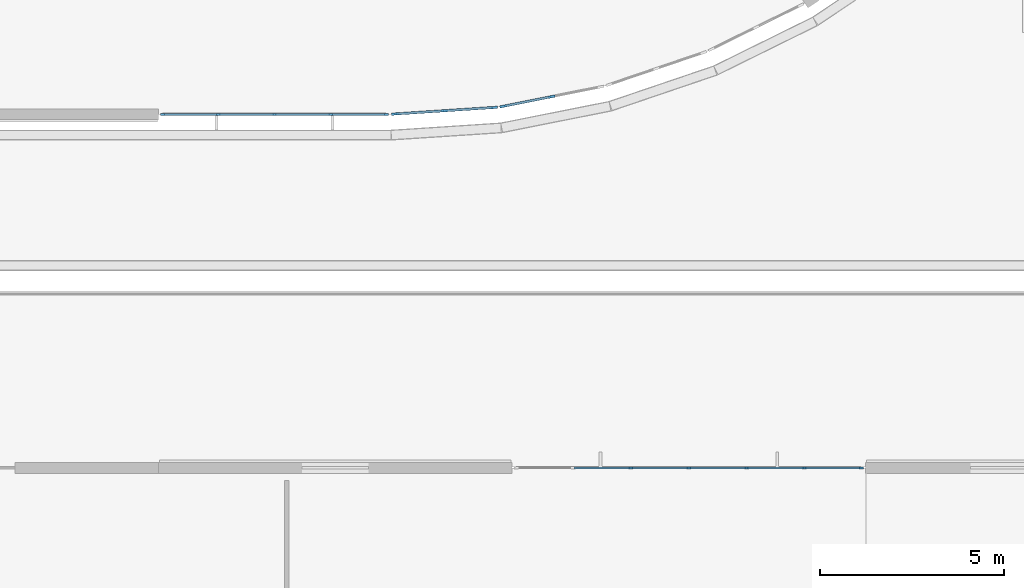
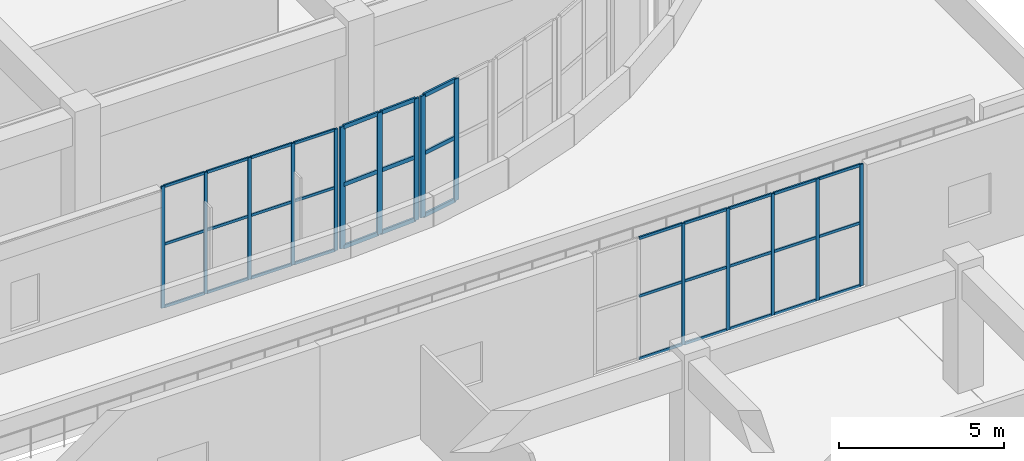
# One storey, part 15 of 96: 51 members, 4 elements without a shape of their own.
"""IFC4 building model written with IfcOpenShell, lengths in metres."""

from ifc_helpers import new_model, si_unit, direction, frame, origin, origin_2d, place, context, subcontext, project, spatial, rectangle, extrude, material, layer, layer_set, material_profile, profile_set, type_object, element, aggregate, save


model = new_model("IFC4")

# Units and contexts
model_context = context("Model", 3, precision=1e-05, world=origin(), true_north=direction((0.0, 1.0)))
body_context = subcontext(model_context, "Body", "Model", "MODEL_VIEW")
ifc_project = project(units=[si_unit("LENGTHUNIT", "METRE"), si_unit("AREAUNIT", "SQUARE_METRE"), si_unit("VOLUMEUNIT", "CUBIC_METRE"), si_unit("PLANEANGLEUNIT", "RADIAN"), si_unit("MASSUNIT", "GRAM", prefix="KILO")], contexts=[model_context])

# Site, building, storey
site_placement = place(None, origin())
site = spatial("IfcSite", under=ifc_project, at=site_placement, CompositionType="ELEMENT")
building_placement = place(site_placement, origin())
building = spatial("IfcBuilding", under=site, at=building_placement, Name="Cendralis Terraced Arcade", CompositionType="ELEMENT")
storey_placement = place(building_placement, frame((0.0, 0.0, 10.199951171875)))
storey = spatial("IfcBuildingStorey", under=building, at=storey_placement, Name="L02", CompositionType="ELEMENT", Elevation=10.199951171875)

# Curtain wall, members
ifc_material = material(Name="Anodised aluminium EN AW-6063 T6", Category="aluminium")
ifc_layer_1 = layer(ifc_material, 0.1201171875, Name="CW-STORE-B")
ifc_layer_set_1 = layer_set([ifc_layer_1], Name="Anodised aluminium EN AW-6063 T6")
curtain_wall_type_1 = type_object("IfcCurtainWallType", Name="CW-STORE-B", PredefinedType="USERDEFINED", material=ifc_layer_set_1)
curtain_wall_1_placement = place(storey_placement, origin())
curtain_wall_1 = element("IfcCurtainWall", 1, at=curtain_wall_1_placement, inside=storey, type_object=curtain_wall_type_1, Name="Exterior Storefront Glazing CW-L02-0127", ObjectType="STOREFRONT GLAZING", PredefinedType="USERDEFINED")
ifc_material_profile_1 = material_profile(ifc_material, rectangle(XDim=0.054931640625, YDim=0.1201171875, at=origin_2d()), Name="ALU-MUL-55x120")
ifc_profile_set_1 = profile_set([ifc_material_profile_1], Name="Anodised aluminium EN AW-6063 T6")
member_type_1 = type_object("IfcMemberType", Name="CW-STORE-B-MUL", PredefinedType="MULLION", material=ifc_profile_set_1)
member_1_placement = place(storey_placement, frame((44.58251953125, 64.800048828125, 0.0), z_axis=(0.0, 0.0, 1.0), x_axis=(0.0, -1.0, 0.0)))
member_1 = element("IfcMember", 2, at=member_1_placement, type_object=member_type_1, Name="CW-S2 mullion 1", PredefinedType="MULLION", context=body_context, shape_type="SweptSolid", body=[
    extrude(rectangle(XDim=0.054931640625, YDim=0.1201171875, at=origin_2d()), origin(), (0.0, 0.0, 1.0), 4.51513671875),
])
member_2_placement = place(storey_placement, frame((43.080078125, 64.800048828125, 0.0), z_axis=(0.0, 0.0, 1.0), x_axis=(0.0, -1.0, 0.0)))
member_2 = element("IfcMember", 3, at=member_2_placement, type_object=member_type_1, Name="CW-S2 mullion 2", PredefinedType="MULLION", context=body_context, shape_type="SweptSolid", body=[
    extrude(rectangle(XDim=0.054931640625, YDim=0.1201171875, at=origin_2d()), origin(), (0.0, 0.0, 1.0), 4.51513671875),
])
member_3_placement = place(storey_placement, frame((41.550048828125, 64.800048828125, 0.0), z_axis=(0.0, 0.0, 1.0), x_axis=(0.0, -1.0, 0.0)))
member_3 = element("IfcMember", 4, at=member_3_placement, type_object=member_type_1, Name="CW-S2 mullion 3", PredefinedType="MULLION", context=body_context, shape_type="SweptSolid", body=[
    extrude(rectangle(XDim=0.054931640625, YDim=0.1201171875, at=origin_2d()), origin(), (0.0, 0.0, 1.0), 4.51513671875),
])
member_4_placement = place(storey_placement, frame((40.02001953125, 64.800048828125, 0.0), z_axis=(0.0, 0.0, 1.0), x_axis=(0.0, -1.0, 0.0)))
member_4 = element("IfcMember", 5, at=member_4_placement, type_object=member_type_1, Name="CW-S2 mullion 4", PredefinedType="MULLION", context=body_context, shape_type="SweptSolid", body=[
    extrude(rectangle(XDim=0.054931640625, YDim=0.1201171875, at=origin_2d()), origin(), (0.0, 0.0, 1.0), 4.51513671875),
])
member_5_placement = place(storey_placement, frame((38.517578125, 64.800048828125, 0.0), z_axis=(0.0, 0.0, 1.0), x_axis=(0.0, -1.0, 0.0)))
member_5 = element("IfcMember", 6, at=member_5_placement, type_object=member_type_1, Name="CW-S2 mullion 5", PredefinedType="MULLION", context=body_context, shape_type="SweptSolid", body=[
    extrude(rectangle(XDim=0.054931640625, YDim=0.1201171875, at=origin_2d()), origin(), (0.0, 0.0, 1.0), 4.51513671875),
])

curtain_wall_2_placement = place(storey_placement, origin())
curtain_wall_2 = element("IfcCurtainWall", 7, at=curtain_wall_2_placement, inside=storey, type_object=curtain_wall_type_1, Name="Exterior Storefront Glazing CW-L02-0224", ObjectType="STOREFRONT GLAZING", PredefinedType="USERDEFINED")
member_6_placement = place(storey_placement, frame((51.22998046875, 55.199951171875, 0.0), z_axis=(0.0, 0.0, 1.0), x_axis=(0.0, 1.0, 0.0)))
member_6 = element("IfcMember", 8, at=member_6_placement, type_object=member_type_1, Name="CW-S2 mullion 3", PredefinedType="MULLION", context=body_context, shape_type="SweptSolid", body=[
    extrude(rectangle(XDim=0.054931640625, YDim=0.1201171875, at=origin_2d()), origin(), (0.0, 0.0, 1.0), 4.51513671875),
])
member_7_placement = place(storey_placement, frame((52.800048828125, 55.199951171875, 0.0), z_axis=(0.0, 0.0, 1.0), x_axis=(0.0, 1.0, 0.0)))
member_7 = element("IfcMember", 9, at=member_7_placement, type_object=member_type_1, Name="CW-S2 mullion 4", PredefinedType="MULLION", context=body_context, shape_type="SweptSolid", body=[
    extrude(rectangle(XDim=0.054931640625, YDim=0.1201171875, at=origin_2d()), origin(), (0.0, 0.0, 1.0), 4.51513671875),
])
member_8_placement = place(storey_placement, frame((54.3701171875, 55.199951171875, 0.0), z_axis=(0.0, 0.0, 1.0), x_axis=(0.0, 1.0, 0.0)))
member_8 = element("IfcMember", 10, at=member_8_placement, type_object=member_type_1, Name="CW-S2 mullion 5", PredefinedType="MULLION", context=body_context, shape_type="SweptSolid", body=[
    extrude(rectangle(XDim=0.054931640625, YDim=0.1201171875, at=origin_2d()), origin(), (0.0, 0.0, 1.0), 4.51513671875),
])
member_9_placement = place(storey_placement, frame((55.93994140625, 55.199951171875, 0.0), z_axis=(0.0, 0.0, 1.0), x_axis=(0.0, 1.0, 0.0)))
member_9 = element("IfcMember", 11, at=member_9_placement, type_object=member_type_1, Name="CW-S2 mullion 6", PredefinedType="MULLION", context=body_context, shape_type="SweptSolid", body=[
    extrude(rectangle(XDim=0.054931640625, YDim=0.1201171875, at=origin_2d()), origin(), (0.0, 0.0, 1.0), 4.51513671875),
])
member_10_placement = place(storey_placement, frame((57.482421875, 55.199951171875, 0.0), z_axis=(0.0, 0.0, 1.0), x_axis=(0.0, 1.0, 0.0)))
member_10 = element("IfcMember", 12, at=member_10_placement, type_object=member_type_1, Name="CW-S2 mullion 7", PredefinedType="MULLION", context=body_context, shape_type="SweptSolid", body=[
    extrude(rectangle(XDim=0.054931640625, YDim=0.1201171875, at=origin_2d()), origin(), (0.0, 0.0, 1.0), 4.51513671875),
])

# Member
ifc_material_profile_2 = material_profile(ifc_material, rectangle(XDim=0.054931640625, YDim=0.10009765625, at=origin_2d()), Name="ALU-TRN-55x100")
ifc_profile_set_2 = profile_set([ifc_material_profile_2], Name="Anodised aluminium EN AW-6063 T6")
member_type_2 = type_object("IfcMemberType", Name="CW-STORE-B-TRN", PredefinedType="USERDEFINED", material=ifc_profile_set_2)
member_11_placement = place(storey_placement, frame((44.554931640625, 64.800048828125, 0.027587890625), z_axis=(-1.0, 0.0, 0.0), x_axis=(0.0, -1.0, 0.0)))
member_11 = element("IfcMember", 13, at=member_11_placement, type_object=member_type_2, Name="CW-S2 transom 1.1", ObjectType="TRANSOM", PredefinedType="USERDEFINED", context=body_context, shape_type="SweptSolid", body=[
    extrude(rectangle(XDim=0.054931640625, YDim=0.10009765625, at=origin_2d()), origin(), (0.0, 0.0, 1.0), 1.447509765625),
])

member_12_placement = place(storey_placement, frame((44.554931640625, 64.800048828125, 2.347900390625), z_axis=(-1.0, 0.0, 0.0), x_axis=(0.0, -1.0, 0.0)))
member_12 = element("IfcMember", 14, at=member_12_placement, type_object=member_type_2, Name="CW-S2 transom 1.2", ObjectType="TRANSOM", PredefinedType="USERDEFINED", context=body_context, shape_type="SweptSolid", body=[
    extrude(rectangle(XDim=0.054931640625, YDim=0.10009765625, at=origin_2d()), origin(), (0.0, 0.0, 1.0), 1.447509765625),
])

member_13_placement = place(storey_placement, frame((44.554931640625, 64.800048828125, 4.487548828125), z_axis=(-1.0, 0.0, 0.0), x_axis=(0.0, -1.0, 0.0)))
member_13 = element("IfcMember", 15, at=member_13_placement, type_object=member_type_2, Name="CW-S2 transom 1.3", ObjectType="TRANSOM", PredefinedType="USERDEFINED", context=body_context, shape_type="SweptSolid", body=[
    extrude(rectangle(XDim=0.054931640625, YDim=0.10009765625, at=origin_2d()), origin(), (0.0, 0.0, 1.0), 1.447509765625),
])

member_14_placement = place(storey_placement, frame((43.052490234375, 64.800048828125, 0.027587890625), z_axis=(-1.0, 0.0, 0.0), x_axis=(0.0, -1.0, 0.0)))
member_14 = element("IfcMember", 16, at=member_14_placement, type_object=member_type_2, Name="CW-S2 transom 2.1", ObjectType="TRANSOM", PredefinedType="USERDEFINED", context=body_context, shape_type="SweptSolid", body=[
    extrude(rectangle(XDim=0.054931640625, YDim=0.10009765625, at=origin_2d()), origin(), (0.0, 0.0, 1.0), 1.47509765625),
])

member_15_placement = place(storey_placement, frame((43.052490234375, 64.800048828125, 2.347900390625), z_axis=(-1.0, 0.0, 0.0), x_axis=(0.0, -1.0, 0.0)))
member_15 = element("IfcMember", 17, at=member_15_placement, type_object=member_type_2, Name="CW-S2 transom 2.2", ObjectType="TRANSOM", PredefinedType="USERDEFINED", context=body_context, shape_type="SweptSolid", body=[
    extrude(rectangle(XDim=0.054931640625, YDim=0.10009765625, at=origin_2d()), origin(), (0.0, 0.0, 1.0), 1.47509765625),
])

member_16_placement = place(storey_placement, frame((43.052490234375, 64.800048828125, 4.487548828125), z_axis=(-1.0, 0.0, 0.0), x_axis=(0.0, -1.0, 0.0)))
member_16 = element("IfcMember", 18, at=member_16_placement, type_object=member_type_2, Name="CW-S2 transom 2.3", ObjectType="TRANSOM", PredefinedType="USERDEFINED", context=body_context, shape_type="SweptSolid", body=[
    extrude(rectangle(XDim=0.054931640625, YDim=0.10009765625, at=origin_2d()), origin(), (0.0, 0.0, 1.0), 1.47509765625),
])

member_17_placement = place(storey_placement, frame((41.5224609375, 64.800048828125, 0.027587890625), z_axis=(-1.0, 0.0, 0.0), x_axis=(0.0, -1.0, 0.0)))
member_17 = element("IfcMember", 19, at=member_17_placement, type_object=member_type_2, Name="CW-S2 transom 3.1", ObjectType="TRANSOM", PredefinedType="USERDEFINED", context=body_context, shape_type="SweptSolid", body=[
    extrude(rectangle(XDim=0.054931640625, YDim=0.10009765625, at=origin_2d()), origin(), (0.0, 0.0, 1.0), 1.474853515625),
])

member_18_placement = place(storey_placement, frame((41.5224609375, 64.800048828125, 2.347900390625), z_axis=(-1.0, 0.0, 0.0), x_axis=(0.0, -1.0, 0.0)))
member_18 = element("IfcMember", 20, at=member_18_placement, type_object=member_type_2, Name="CW-S2 transom 3.2", ObjectType="TRANSOM", PredefinedType="USERDEFINED", context=body_context, shape_type="SweptSolid", body=[
    extrude(rectangle(XDim=0.054931640625, YDim=0.10009765625, at=origin_2d()), origin(), (0.0, 0.0, 1.0), 1.474853515625),
])

member_19_placement = place(storey_placement, frame((41.5224609375, 64.800048828125, 4.487548828125), z_axis=(-1.0, 0.0, 0.0), x_axis=(0.0, -1.0, 0.0)))
member_19 = element("IfcMember", 21, at=member_19_placement, type_object=member_type_2, Name="CW-S2 transom 3.3", ObjectType="TRANSOM", PredefinedType="USERDEFINED", context=body_context, shape_type="SweptSolid", body=[
    extrude(rectangle(XDim=0.054931640625, YDim=0.10009765625, at=origin_2d()), origin(), (0.0, 0.0, 1.0), 1.474853515625),
])

member_20_placement = place(storey_placement, frame((39.992431640625, 64.800048828125, 0.027587890625), z_axis=(-1.0, 0.0, 0.0), x_axis=(0.0, -1.0, 0.0)))
member_20 = element("IfcMember", 22, at=member_20_placement, type_object=member_type_2, Name="CW-S2 transom 4.1", ObjectType="TRANSOM", PredefinedType="USERDEFINED", context=body_context, shape_type="SweptSolid", body=[
    extrude(rectangle(XDim=0.054931640625, YDim=0.10009765625, at=origin_2d()), origin(), (0.0, 0.0, 1.0), 1.447509765625),
])

member_21_placement = place(storey_placement, frame((39.992431640625, 64.800048828125, 2.347900390625), z_axis=(-1.0, 0.0, 0.0), x_axis=(0.0, -1.0, 0.0)))
member_21 = element("IfcMember", 23, at=member_21_placement, type_object=member_type_2, Name="CW-S2 transom 4.2", ObjectType="TRANSOM", PredefinedType="USERDEFINED", context=body_context, shape_type="SweptSolid", body=[
    extrude(rectangle(XDim=0.054931640625, YDim=0.10009765625, at=origin_2d()), origin(), (0.0, 0.0, 1.0), 1.447509765625),
])

member_22_placement = place(storey_placement, frame((39.992431640625, 64.800048828125, 4.487548828125), z_axis=(-1.0, 0.0, 0.0), x_axis=(0.0, -1.0, 0.0)))
member_22 = element("IfcMember", 24, at=member_22_placement, type_object=member_type_2, Name="CW-S2 transom 4.3", ObjectType="TRANSOM", PredefinedType="USERDEFINED", context=body_context, shape_type="SweptSolid", body=[
    extrude(rectangle(XDim=0.054931640625, YDim=0.10009765625, at=origin_2d()), origin(), (0.0, 0.0, 1.0), 1.447509765625),
])

aggregate(curtain_wall_1, [member_1, member_2, member_3, member_4, member_5, member_11, member_12, member_13, member_14, member_15, member_16, member_17, member_18, member_19, member_20, member_21, member_22])

member_23_placement = place(storey_placement, frame((49.6875, 55.199951171875, 0.027587890625), z_axis=(1.0, 0.0, 0.0), x_axis=(0.0, 1.0, 0.0)))
member_23 = element("IfcMember", 25, at=member_23_placement, type_object=member_type_2, Name="CW-S2 transom 2.1", ObjectType="TRANSOM", PredefinedType="USERDEFINED", context=body_context, shape_type="SweptSolid", body=[
    extrude(rectangle(XDim=0.054931640625, YDim=0.10009765625, at=origin_2d()), origin(), (0.0, 0.0, 1.0), 1.514892578125),
])

member_24_placement = place(storey_placement, frame((49.6875, 55.199951171875, 2.347900390625), z_axis=(1.0, 0.0, 0.0), x_axis=(0.0, 1.0, 0.0)))
member_24 = element("IfcMember", 26, at=member_24_placement, type_object=member_type_2, Name="CW-S2 transom 2.2", ObjectType="TRANSOM", PredefinedType="USERDEFINED", context=body_context, shape_type="SweptSolid", body=[
    extrude(rectangle(XDim=0.054931640625, YDim=0.10009765625, at=origin_2d()), origin(), (0.0, 0.0, 1.0), 1.514892578125),
])

member_25_placement = place(storey_placement, frame((49.6875, 55.199951171875, 4.487548828125), z_axis=(1.0, 0.0, 0.0), x_axis=(0.0, 1.0, 0.0)))
member_25 = element("IfcMember", 27, at=member_25_placement, type_object=member_type_2, Name="CW-S2 transom 2.3", ObjectType="TRANSOM", PredefinedType="USERDEFINED", context=body_context, shape_type="SweptSolid", body=[
    extrude(rectangle(XDim=0.054931640625, YDim=0.10009765625, at=origin_2d()), origin(), (0.0, 0.0, 1.0), 1.514892578125),
])

member_26_placement = place(storey_placement, frame((51.257568359375, 55.199951171875, 0.027587890625), z_axis=(1.0, 0.0, 0.0), x_axis=(0.0, 1.0, 0.0)))
member_26 = element("IfcMember", 28, at=member_26_placement, type_object=member_type_2, Name="CW-S2 transom 3.1", ObjectType="TRANSOM", PredefinedType="USERDEFINED", context=body_context, shape_type="SweptSolid", body=[
    extrude(rectangle(XDim=0.054931640625, YDim=0.10009765625, at=origin_2d()), origin(), (0.0, 0.0, 1.0), 1.514892578125),
])

member_27_placement = place(storey_placement, frame((51.257568359375, 55.199951171875, 2.347900390625), z_axis=(1.0, 0.0, 0.0), x_axis=(0.0, 1.0, 0.0)))
member_27 = element("IfcMember", 29, at=member_27_placement, type_object=member_type_2, Name="CW-S2 transom 3.2", ObjectType="TRANSOM", PredefinedType="USERDEFINED", context=body_context, shape_type="SweptSolid", body=[
    extrude(rectangle(XDim=0.054931640625, YDim=0.10009765625, at=origin_2d()), origin(), (0.0, 0.0, 1.0), 1.514892578125),
])

member_28_placement = place(storey_placement, frame((51.257568359375, 55.199951171875, 4.487548828125), z_axis=(1.0, 0.0, 0.0), x_axis=(0.0, 1.0, 0.0)))
member_28 = element("IfcMember", 30, at=member_28_placement, type_object=member_type_2, Name="CW-S2 transom 3.3", ObjectType="TRANSOM", PredefinedType="USERDEFINED", context=body_context, shape_type="SweptSolid", body=[
    extrude(rectangle(XDim=0.054931640625, YDim=0.10009765625, at=origin_2d()), origin(), (0.0, 0.0, 1.0), 1.514892578125),
])

member_29_placement = place(storey_placement, frame((52.827392578125, 55.199951171875, 0.027587890625), z_axis=(1.0, 0.0, 0.0), x_axis=(0.0, 1.0, 0.0)))
member_29 = element("IfcMember", 31, at=member_29_placement, type_object=member_type_2, Name="CW-S2 transom 4.1", ObjectType="TRANSOM", PredefinedType="USERDEFINED", context=body_context, shape_type="SweptSolid", body=[
    extrude(rectangle(XDim=0.054931640625, YDim=0.10009765625, at=origin_2d()), origin(), (0.0, 0.0, 1.0), 1.51513671875),
])

member_30_placement = place(storey_placement, frame((52.827392578125, 55.199951171875, 2.347900390625), z_axis=(1.0, 0.0, 0.0), x_axis=(0.0, 1.0, 0.0)))
member_30 = element("IfcMember", 32, at=member_30_placement, type_object=member_type_2, Name="CW-S2 transom 4.2", ObjectType="TRANSOM", PredefinedType="USERDEFINED", context=body_context, shape_type="SweptSolid", body=[
    extrude(rectangle(XDim=0.054931640625, YDim=0.10009765625, at=origin_2d()), origin(), (0.0, 0.0, 1.0), 1.51513671875),
])

member_31_placement = place(storey_placement, frame((52.827392578125, 55.199951171875, 4.487548828125), z_axis=(1.0, 0.0, 0.0), x_axis=(0.0, 1.0, 0.0)))
member_31 = element("IfcMember", 33, at=member_31_placement, type_object=member_type_2, Name="CW-S2 transom 4.3", ObjectType="TRANSOM", PredefinedType="USERDEFINED", context=body_context, shape_type="SweptSolid", body=[
    extrude(rectangle(XDim=0.054931640625, YDim=0.10009765625, at=origin_2d()), origin(), (0.0, 0.0, 1.0), 1.51513671875),
])

member_32_placement = place(storey_placement, frame((54.3974609375, 55.199951171875, 0.027587890625), z_axis=(1.0, 0.0, 0.0), x_axis=(0.0, 1.0, 0.0)))
member_32 = element("IfcMember", 34, at=member_32_placement, type_object=member_type_2, Name="CW-S2 transom 5.1", ObjectType="TRANSOM", PredefinedType="USERDEFINED", context=body_context, shape_type="SweptSolid", body=[
    extrude(rectangle(XDim=0.054931640625, YDim=0.10009765625, at=origin_2d()), origin(), (0.0, 0.0, 1.0), 1.51513671875),
])

member_33_placement = place(storey_placement, frame((54.3974609375, 55.199951171875, 2.347900390625), z_axis=(1.0, 0.0, 0.0), x_axis=(0.0, 1.0, 0.0)))
member_33 = element("IfcMember", 35, at=member_33_placement, type_object=member_type_2, Name="CW-S2 transom 5.2", ObjectType="TRANSOM", PredefinedType="USERDEFINED", context=body_context, shape_type="SweptSolid", body=[
    extrude(rectangle(XDim=0.054931640625, YDim=0.10009765625, at=origin_2d()), origin(), (0.0, 0.0, 1.0), 1.51513671875),
])

member_34_placement = place(storey_placement, frame((54.3974609375, 55.199951171875, 4.487548828125), z_axis=(1.0, 0.0, 0.0), x_axis=(0.0, 1.0, 0.0)))
member_34 = element("IfcMember", 36, at=member_34_placement, type_object=member_type_2, Name="CW-S2 transom 5.3", ObjectType="TRANSOM", PredefinedType="USERDEFINED", context=body_context, shape_type="SweptSolid", body=[
    extrude(rectangle(XDim=0.054931640625, YDim=0.10009765625, at=origin_2d()), origin(), (0.0, 0.0, 1.0), 1.51513671875),
])

member_35_placement = place(storey_placement, frame((55.967529296875, 55.199951171875, 0.027587890625), z_axis=(1.0, 0.0, 0.0), x_axis=(0.0, 1.0, 0.0)))
member_35 = element("IfcMember", 37, at=member_35_placement, type_object=member_type_2, Name="CW-S2 transom 6.1", ObjectType="TRANSOM", PredefinedType="USERDEFINED", context=body_context, shape_type="SweptSolid", body=[
    extrude(rectangle(XDim=0.054931640625, YDim=0.10009765625, at=origin_2d()), origin(), (0.0, 0.0, 1.0), 1.487548828125),
])

member_36_placement = place(storey_placement, frame((55.967529296875, 55.199951171875, 2.347900390625), z_axis=(1.0, 0.0, 0.0), x_axis=(0.0, 1.0, 0.0)))
member_36 = element("IfcMember", 38, at=member_36_placement, type_object=member_type_2, Name="CW-S2 transom 6.2", ObjectType="TRANSOM", PredefinedType="USERDEFINED", context=body_context, shape_type="SweptSolid", body=[
    extrude(rectangle(XDim=0.054931640625, YDim=0.10009765625, at=origin_2d()), origin(), (0.0, 0.0, 1.0), 1.487548828125),
])

member_37_placement = place(storey_placement, frame((55.967529296875, 55.199951171875, 4.487548828125), z_axis=(1.0, 0.0, 0.0), x_axis=(0.0, 1.0, 0.0)))
member_37 = element("IfcMember", 39, at=member_37_placement, type_object=member_type_2, Name="CW-S2 transom 6.3", ObjectType="TRANSOM", PredefinedType="USERDEFINED", context=body_context, shape_type="SweptSolid", body=[
    extrude(rectangle(XDim=0.054931640625, YDim=0.10009765625, at=origin_2d()), origin(), (0.0, 0.0, 1.0), 1.487548828125),
])

aggregate(curtain_wall_2, [member_6, member_7, member_8, member_9, member_10, member_23, member_24, member_25, member_26, member_27, member_28, member_29, member_30, member_31, member_32, member_33, member_34, member_35, member_36, member_37])

# Curtain wall, members
ifc_layer_2 = layer(ifc_material, 0.179931640625, Name="CW-UNIT-A")
ifc_layer_set_2 = layer_set([ifc_layer_2], Name="Anodised aluminium EN AW-6063 T6")
curtain_wall_type_2 = type_object("IfcCurtainWallType", Name="CW-UNIT-A", PredefinedType="USERDEFINED", material=ifc_layer_set_2)
curtain_wall_3_placement = place(storey_placement, origin())
curtain_wall_3 = element("IfcCurtainWall", 40, at=curtain_wall_3_placement, inside=storey, type_object=curtain_wall_type_2, Name="Exterior Unitised Facade CW-L02-0125", ObjectType="UNITISED FACADE", PredefinedType="USERDEFINED")
ifc_material_profile_3 = material_profile(ifc_material, rectangle(XDim=0.06494140625, YDim=0.179931640625, at=origin_2d()), Name="ALU-MUL-65x180")
ifc_profile_set_3 = profile_set([ifc_material_profile_3], Name="Anodised aluminium EN AW-6063 T6")
member_type_3 = type_object("IfcMemberType", Name="CW-UNIT-A-MUL", PredefinedType="MULLION", material=ifc_profile_set_3)
member_38_placement = place(storey_placement, frame((49.080078125, 65.279541015625, 0.0), z_axis=(0.0, 0.0, 1.0), x_axis=(0.195072039192, -0.980788916906, 0.0)))
member_38 = element("IfcMember", 41, at=member_38_placement, type_object=member_type_3, Name="CW-U1 mullion 2", PredefinedType="MULLION", context=body_context, shape_type="SweptSolid", body=[
    extrude(rectangle(XDim=0.06494140625, YDim=0.179931640625, at=origin_2d()), origin(), (0.0, 0.0, 1.0), 4.51513671875),
])
member_39_placement = place(storey_placement, frame((47.757080078125, 65.016357421875, 0.0), z_axis=(0.0, 0.0, 1.0), x_axis=(0.195072039192, -0.980788916906, 0.0)))
member_39 = element("IfcMember", 42, at=member_39_placement, type_object=member_type_3, Name="CW-U1 mullion 3", PredefinedType="MULLION", context=body_context, shape_type="SweptSolid", body=[
    extrude(rectangle(XDim=0.06494140625, YDim=0.179931640625, at=origin_2d()), origin(), (0.0, 0.0, 1.0), 4.51513671875),
])

curtain_wall_4_placement = place(storey_placement, origin())
curtain_wall_4 = element("IfcCurtainWall", 43, at=curtain_wall_4_placement, inside=storey, type_object=curtain_wall_type_2, Name="Exterior Unitised Facade CW-L02-0126", ObjectType="UNITISED FACADE", PredefinedType="USERDEFINED")
member_40_placement = place(storey_placement, frame((47.5146484375, 64.984375, 0.0), z_axis=(0.0, 0.0, 1.0), x_axis=(0.065397206439, -0.997859311421, 0.0)))
member_40 = element("IfcMember", 44, at=member_40_placement, type_object=member_type_3, Name="CW-U1 mullion 1", PredefinedType="MULLION", context=body_context, shape_type="SweptSolid", body=[
    extrude(rectangle(XDim=0.06494140625, YDim=0.179931640625, at=origin_2d()), origin(), (0.0, 0.0, 1.0), 4.51513671875),
])
member_41_placement = place(storey_placement, frame((46.16845703125, 64.896240234375, 0.0), z_axis=(0.0, 0.0, 1.0), x_axis=(0.065397206439, -0.997859311421, 0.0)))
member_41 = element("IfcMember", 45, at=member_41_placement, type_object=member_type_3, Name="CW-U1 mullion 2", PredefinedType="MULLION", context=body_context, shape_type="SweptSolid", body=[
    extrude(rectangle(XDim=0.06494140625, YDim=0.179931640625, at=origin_2d()), origin(), (0.0, 0.0, 1.0), 4.51513671875),
])
member_42_placement = place(storey_placement, frame((44.822265625, 64.80810546875, 0.0), z_axis=(0.0, 0.0, 1.0), x_axis=(0.065397206439, -0.997859311421, 0.0)))
member_42 = element("IfcMember", 46, at=member_42_placement, type_object=member_type_3, Name="CW-U1 mullion 3", PredefinedType="MULLION", context=body_context, shape_type="SweptSolid", body=[
    extrude(rectangle(XDim=0.06494140625, YDim=0.179931640625, at=origin_2d()), origin(), (0.0, 0.0, 1.0), 4.51513671875),
])

# Member
ifc_material_profile_4 = material_profile(ifc_material, rectangle(XDim=0.06494140625, YDim=0.14990234375, at=origin_2d()), Name="ALU-TRN-65x150")
ifc_profile_set_4 = profile_set([ifc_material_profile_4], Name="Anodised aluminium EN AW-6063 T6")
member_type_4 = type_object("IfcMemberType", Name="CW-UNIT-A-TRN", PredefinedType="USERDEFINED", material=ifc_profile_set_4)
member_43_placement = place(storey_placement, frame((49.04833984375, 65.273193359375, 0.032470703125), z_axis=(-0.980792151439, -0.195055775805, 0.0), x_axis=(0.195055775805, -0.980792151439, 0.0)))
member_43 = element("IfcMember", 47, at=member_43_placement, type_object=member_type_4, Name="CW-U1 transom 2.1", ObjectType="TRANSOM", PredefinedType="USERDEFINED", context=body_context, shape_type="SweptSolid", body=[
    extrude(rectangle(XDim=0.06494140625, YDim=0.14990234375, at=origin_2d()), origin(), (0.0, 0.0, 1.0), 1.2841796875),
])

member_44_placement = place(storey_placement, frame((49.04833984375, 65.273193359375, 2.347900390625), z_axis=(-0.980792151439, -0.195055775805, 0.0), x_axis=(0.195055775805, -0.980792151439, 0.0)))
member_44 = element("IfcMember", 48, at=member_44_placement, type_object=member_type_4, Name="CW-U1 transom 2.2", ObjectType="TRANSOM", PredefinedType="USERDEFINED", context=body_context, shape_type="SweptSolid", body=[
    extrude(rectangle(XDim=0.06494140625, YDim=0.14990234375, at=origin_2d()), origin(), (0.0, 0.0, 1.0), 1.2841796875),
])

member_45_placement = place(storey_placement, frame((49.04833984375, 65.273193359375, 4.482666015625), z_axis=(-0.980792151439, -0.195055775805, 0.0), x_axis=(0.195055775805, -0.980792151439, 0.0)))
member_45 = element("IfcMember", 49, at=member_45_placement, type_object=member_type_4, Name="CW-U1 transom 2.3", ObjectType="TRANSOM", PredefinedType="USERDEFINED", context=body_context, shape_type="SweptSolid", body=[
    extrude(rectangle(XDim=0.06494140625, YDim=0.14990234375, at=origin_2d()), origin(), (0.0, 0.0, 1.0), 1.2841796875),
])

aggregate(curtain_wall_3, [member_38, member_39, member_43, member_44, member_45])

member_46_placement = place(storey_placement, frame((47.482177734375, 64.982421875, 0.032470703125), z_axis=(-0.99785857692, -0.065408412816, 0.0), x_axis=(0.065408412816, -0.99785857692, 0.0)))
member_46 = element("IfcMember", 50, at=member_46_placement, type_object=member_type_4, Name="CW-U1 transom 1.1", ObjectType="TRANSOM", PredefinedType="USERDEFINED", context=body_context, shape_type="SweptSolid", body=[
    extrude(rectangle(XDim=0.06494140625, YDim=0.14990234375, at=origin_2d()), origin(), (0.0, 0.0, 1.0), 1.283935546875),
])

member_47_placement = place(storey_placement, frame((47.482177734375, 64.982421875, 2.347900390625), z_axis=(-0.99785857692, -0.065408412816, 0.0), x_axis=(0.065408412816, -0.99785857692, 0.0)))
member_47 = element("IfcMember", 51, at=member_47_placement, type_object=member_type_4, Name="CW-U1 transom 1.2", ObjectType="TRANSOM", PredefinedType="USERDEFINED", context=body_context, shape_type="SweptSolid", body=[
    extrude(rectangle(XDim=0.06494140625, YDim=0.14990234375, at=origin_2d()), origin(), (0.0, 0.0, 1.0), 1.283935546875),
])

member_48_placement = place(storey_placement, frame((47.482177734375, 64.982421875, 4.482666015625), z_axis=(-0.99785857692, -0.065408412816, 0.0), x_axis=(0.065408412816, -0.99785857692, 0.0)))
member_48 = element("IfcMember", 52, at=member_48_placement, type_object=member_type_4, Name="CW-U1 transom 1.3", ObjectType="TRANSOM", PredefinedType="USERDEFINED", context=body_context, shape_type="SweptSolid", body=[
    extrude(rectangle(XDim=0.06494140625, YDim=0.14990234375, at=origin_2d()), origin(), (0.0, 0.0, 1.0), 1.283935546875),
])

member_49_placement = place(storey_placement, frame((46.135986328125, 64.89404296875, 0.032470703125), z_axis=(-0.99785857692, -0.065408412816, 0.0), x_axis=(0.065408412816, -0.99785857692, 0.0)))
member_49 = element("IfcMember", 53, at=member_49_placement, type_object=member_type_4, Name="CW-U1 transom 2.1", ObjectType="TRANSOM", PredefinedType="USERDEFINED", context=body_context, shape_type="SweptSolid", body=[
    extrude(rectangle(XDim=0.06494140625, YDim=0.14990234375, at=origin_2d()), origin(), (0.0, 0.0, 1.0), 1.283935546875),
])

member_50_placement = place(storey_placement, frame((46.135986328125, 64.89404296875, 2.347900390625), z_axis=(-0.99785857692, -0.065408412816, 0.0), x_axis=(0.065408412816, -0.99785857692, 0.0)))
member_50 = element("IfcMember", 54, at=member_50_placement, type_object=member_type_4, Name="CW-U1 transom 2.2", ObjectType="TRANSOM", PredefinedType="USERDEFINED", context=body_context, shape_type="SweptSolid", body=[
    extrude(rectangle(XDim=0.06494140625, YDim=0.14990234375, at=origin_2d()), origin(), (0.0, 0.0, 1.0), 1.283935546875),
])

member_51_placement = place(storey_placement, frame((46.135986328125, 64.89404296875, 4.482666015625), z_axis=(-0.99785857692, -0.065408412816, 0.0), x_axis=(0.065408412816, -0.99785857692, 0.0)))
member_51 = element("IfcMember", 55, at=member_51_placement, type_object=member_type_4, Name="CW-U1 transom 2.3", ObjectType="TRANSOM", PredefinedType="USERDEFINED", context=body_context, shape_type="SweptSolid", body=[
    extrude(rectangle(XDim=0.06494140625, YDim=0.14990234375, at=origin_2d()), origin(), (0.0, 0.0, 1.0), 1.283935546875),
])

aggregate(curtain_wall_4, [member_40, member_41, member_42, member_46, member_47, member_48, member_49, member_50, member_51])

save(model, "model.ifc")
